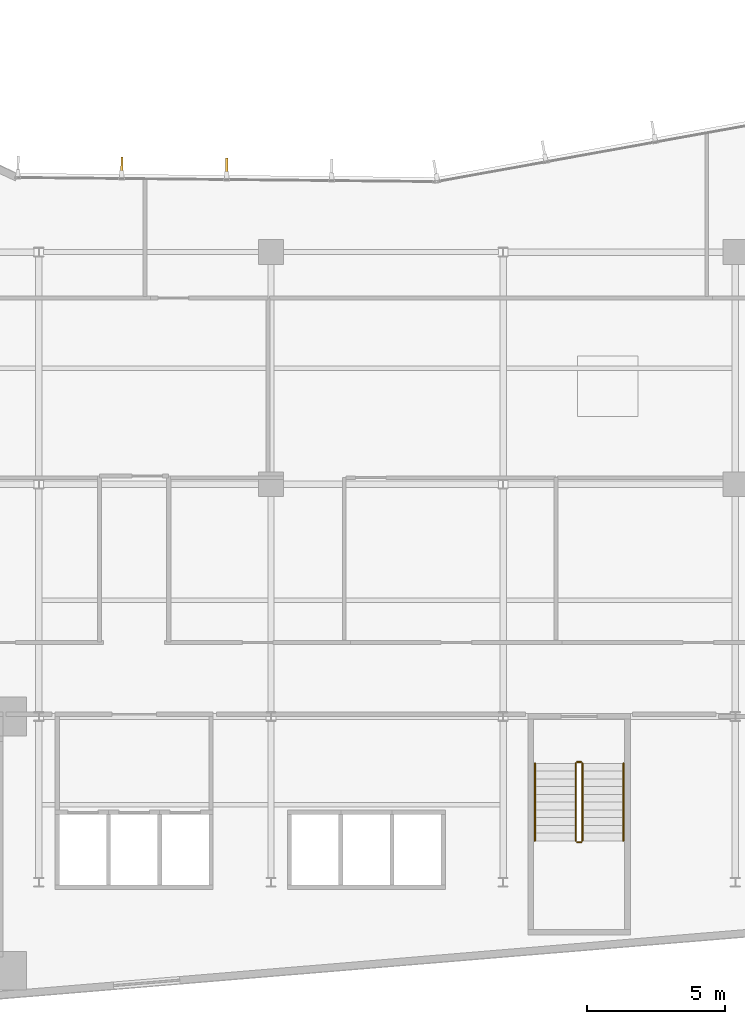
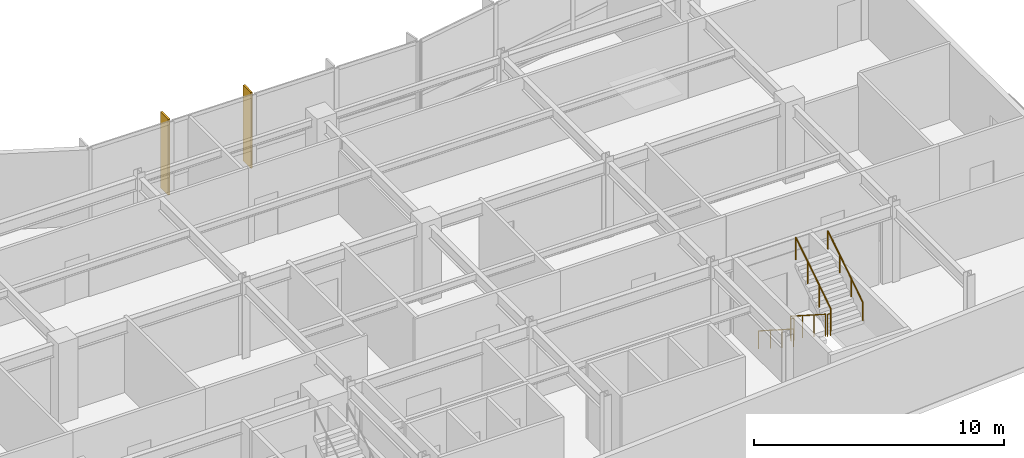
# One storey, part 15 of 18: 6 railings, 2 shading devices.
"""IFC4 building model written with IfcOpenShell, lengths in metres."""

from ifc_helpers import new_model, si_unit, direction, frame, origin, origin_2d, place, context, subcontext, project, spatial, rectangle, circle, extrude, material, layer, layer_set, type_object, element, save


model = new_model("IFC4")

# Units and contexts
model_context = context("Model", 3, precision=1e-05, world=origin(), true_north=direction((0.0, 1.0)))
body_context = subcontext(model_context, "Body", "Model", "MODEL_VIEW")
ifc_project = project(units=[si_unit("LENGTHUNIT", "METRE"), si_unit("AREAUNIT", "SQUARE_METRE"), si_unit("VOLUMEUNIT", "CUBIC_METRE"), si_unit("PLANEANGLEUNIT", "RADIAN"), si_unit("MASSUNIT", "GRAM", prefix="KILO")], contexts=[model_context])

# Site, building, storey
site_placement = place(None, origin())
site = spatial("IfcSite", under=ifc_project, at=site_placement, CompositionType="ELEMENT")
building_placement = place(site_placement, origin())
building = spatial("IfcBuilding", under=site, at=building_placement, Name="Varnakote Quay Hospital", CompositionType="ELEMENT")
storey_placement = place(building_placement, frame((0.0, 0.0, 30.39990234375)))
storey = spatial("IfcBuildingStorey", under=building, at=storey_placement, Name="L07", CompositionType="ELEMENT", Elevation=30.39990234375)

# Railings
ifc_material_1 = material(Name="Brushed stainless steel balustrade", Category="steel")
railing_type_1 = type_object("IfcRailingType", Name="RLG-STAIR-GUARD-1150", PredefinedType="GUARDRAIL", material=ifc_material_1)
railing_1_placement = place(storey_placement, frame((44.6298828125, 10.300048828125, 0.1796875)))
element("IfcRailing", 1, at=railing_1_placement, inside=storey, type_object=railing_type_1, Name="L07 ST-03 stair guard 1", PredefinedType="GUARDRAIL", context=body_context, shape_type="SweptSolid", body=[
    extrude(circle(Radius=0.02392578125, at=origin_2d()), frame((0.0, 0.0, 1.076171875), z_axis=(0.0, -0.841809871826, 0.539774156196), x_axis=(1.0, 0.0, 0.0)), (0.0, 0.0, 1.0), 3.326171875),
    extrude(circle(Radius=0.02099609375, at=origin_2d()), origin(), (0.0, 0.0, 1.0), 1.052001953125),
    extrude(circle(Radius=0.02099609375, at=origin_2d()), frame((0.0, -0.933349609375, 0.598388671875)), (0.0, 0.0, 1.0), 1.052001953125),
    extrude(circle(Radius=0.02099609375, at=origin_2d()), frame((0.0, -1.86669921875, 1.197021484375)), (0.0, 0.0, 1.0), 1.052001953125),
    extrude(circle(Radius=0.02099609375, at=origin_2d()), frame((0.0, -2.800048828125, 1.79541015625)), (0.0, 0.0, 1.0), 1.052001953125),
])
railing_2_placement = place(storey_placement, frame((44.679931640625, 7.449951171875, 1.97509765625)))
element("IfcRailing", 2, at=railing_2_placement, inside=storey, type_object=railing_type_1, Name="L07 ST-03 stair guard 2", PredefinedType="GUARDRAIL", context=body_context, shape_type="SweptSolid", body=[
    extrude(circle(Radius=0.02392578125, at=origin_2d()), frame((0.0, 0.0, 1.076171875), z_axis=(1.0, 0.0, 0.0), x_axis=(0.0, 1.0, 0.0)), (0.0, 0.0, 1.0), 0.14013671875),
    extrude(circle(Radius=0.02099609375, at=origin_2d()), origin(), (0.0, 0.0, 1.0), 1.052001953125),
    extrude(circle(Radius=0.02099609375, at=origin_2d()), frame((0.14013671875, 0.0, 0.0)), (0.0, 0.0, 1.0), 1.052001953125),
])
railing_3_placement = place(storey_placement, frame((44.8701171875, 7.5, 2.154541015625)))
element("IfcRailing", 3, at=railing_3_placement, inside=storey, type_object=railing_type_1, Name="L07 ST-03 stair guard 3", PredefinedType="GUARDRAIL", context=body_context, shape_type="SweptSolid", body=[
    extrude(circle(Radius=0.02392578125, at=origin_2d()), frame((0.0, 0.0, 1.076171875), z_axis=(0.0, 0.841776520102, 0.539826166654), x_axis=(-1.0, 0.0, 0.0)), (0.0, 0.0, 1.0), 3.326416015625),
    extrude(circle(Radius=0.02099609375, at=origin_2d()), origin(), (0.0, 0.0, 1.0), 1.052001953125),
    extrude(circle(Radius=0.02099609375, at=origin_2d()), frame((0.0, 0.933349609375, 0.5986328125)), (0.0, 0.0, 1.0), 1.052001953125),
    extrude(circle(Radius=0.02099609375, at=origin_2d()), frame((0.0, 1.86669921875, 1.197021484375)), (0.0, 0.0, 1.0), 1.052001953125),
    extrude(circle(Radius=0.02099609375, at=origin_2d()), frame((0.0, 2.800048828125, 1.795654296875)), (0.0, 0.0, 1.0), 1.052001953125),
])
railing_4_placement = place(storey_placement, frame((44.679931640625, 10.35009765625, 0.0)))
element("IfcRailing", 4, at=railing_4_placement, inside=storey, type_object=railing_type_1, Name="L07 ST-03 stair guard 4", PredefinedType="GUARDRAIL", context=body_context, shape_type="SweptSolid", body=[
    extrude(circle(Radius=0.02392578125, at=origin_2d()), frame((0.0, 0.0, 1.076171875), z_axis=(1.0, 0.0, 0.0), x_axis=(0.0, 1.0, 0.0)), (0.0, 0.0, 1.0), 0.14013671875),
    extrude(circle(Radius=0.02099609375, at=origin_2d()), origin(), (0.0, 0.0, 1.0), 1.052001953125),
    extrude(circle(Radius=0.02099609375, at=origin_2d()), frame((0.14013671875, 0.0, 0.0)), (0.0, 0.0, 1.0), 1.052001953125),
])
ifc_material_2 = material(Name="Brushed stainless steel handrail", Category="steel")
railing_type_2 = type_object("IfcRailingType", Name="RLG-STAIR-HND-920", PredefinedType="HANDRAIL", material=ifc_material_2)
railing_5_placement = place(storey_placement, frame((43.14990234375, 10.300048828125, 0.1796875)))
element("IfcRailing", 5, at=railing_5_placement, inside=storey, type_object=railing_type_2, Name="L07 ST-03 stair handrail 1", PredefinedType="HANDRAIL", context=body_context, shape_type="SweptSolid", body=[
    extrude(circle(Radius=0.02392578125, at=origin_2d()), frame((0.0, 0.0, 0.8759765625), z_axis=(0.0, -0.841809871826, 0.539774156196), x_axis=(1.0, 0.0, 0.0)), (0.0, 0.0, 1.0), 3.326171875),
    extrude(circle(Radius=0.02099609375, at=origin_2d()), origin(), (0.0, 0.0, 1.0), 0.851806640625),
    extrude(circle(Radius=0.02099609375, at=origin_2d()), frame((0.0, -0.933349609375, 0.598388671875)), (0.0, 0.0, 1.0), 0.851806640625),
    extrude(circle(Radius=0.02099609375, at=origin_2d()), frame((0.0, -1.86669921875, 1.197021484375)), (0.0, 0.0, 1.0), 0.851806640625),
    extrude(circle(Radius=0.02099609375, at=origin_2d()), frame((0.0, -2.800048828125, 1.79541015625)), (0.0, 0.0, 1.0), 0.851806640625),
])
railing_6_placement = place(storey_placement, frame((46.35009765625, 7.5, 2.154541015625)))
element("IfcRailing", 6, at=railing_6_placement, inside=storey, type_object=railing_type_2, Name="L07 ST-03 stair handrail 2", PredefinedType="HANDRAIL", context=body_context, shape_type="SweptSolid", body=[
    extrude(circle(Radius=0.02392578125, at=origin_2d()), frame((0.0, 0.0, 0.8759765625), z_axis=(0.0, 0.841776520102, 0.539826166654), x_axis=(-1.0, 0.0, 0.0)), (0.0, 0.0, 1.0), 3.326416015625),
    extrude(circle(Radius=0.02099609375, at=origin_2d()), origin(), (0.0, 0.0, 1.0), 0.851806640625),
    extrude(circle(Radius=0.02099609375, at=origin_2d()), frame((0.0, 0.933349609375, 0.5986328125)), (0.0, 0.0, 1.0), 0.851806640625),
    extrude(circle(Radius=0.02099609375, at=origin_2d()), frame((0.0, 1.86669921875, 1.197021484375)), (0.0, 0.0, 1.0), 0.851806640625),
    extrude(circle(Radius=0.02099609375, at=origin_2d()), frame((0.0, 2.800048828125, 1.795654296875)), (0.0, 0.0, 1.0), 0.851806640625),
])

# Shading devices
ifc_material_3 = material(Name="Anodised aluminium 6063-T6 Bronze", Category="aluminium")
ifc_layer = layer(ifc_material_3, 0.0849609375)
ifc_layer_set = layer_set([ifc_layer], Name="Anodised aluminium 6063-T6 Bronze")
shading_device_type = type_object("IfcShadingDeviceType", Name="SHD-BRONZE-FIN-620", PredefinedType="USERDEFINED", material=ifc_layer_set)
for number, where, z_axis, x_axis, name in (
    (7, (32.003173828125, 31.88818359375, 0.0), (0.0, 0.0, 1.0), (-0.009773688199, -0.999952236369, 0.0), "L07 Anodised Bronze Vertical Shading FIN"),
    (8, (28.207763671875, 31.92529296875, 0.0), (0.0, 0.0, 1.0), (-0.009773688199, -0.999952236369, 0.0), "L07 Anodised Bronze Vertical Shading FIN"),
):
    element("IfcShadingDevice", number, at=place(storey_placement, frame(where, z_axis=z_axis, x_axis=x_axis)), inside=storey, type_object=shading_device_type, Name=name, ObjectType="FIN", PredefinedType="USERDEFINED", context=body_context, shape_type="SweptSolid", body=[
        extrude(rectangle(XDim=0.6201171875, YDim=0.0849609375, at=origin_2d()), origin(), (0.0, 0.0, 1.0), 3.7099609375),
    ])

save(model, "model.ifc")
